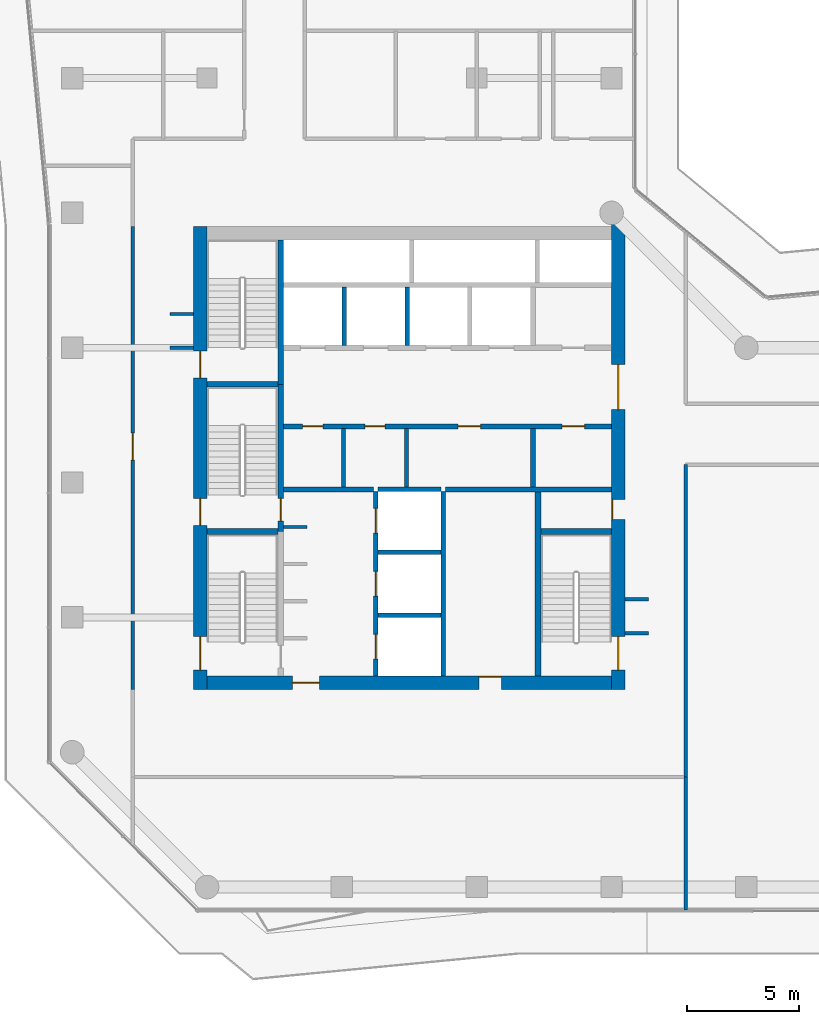
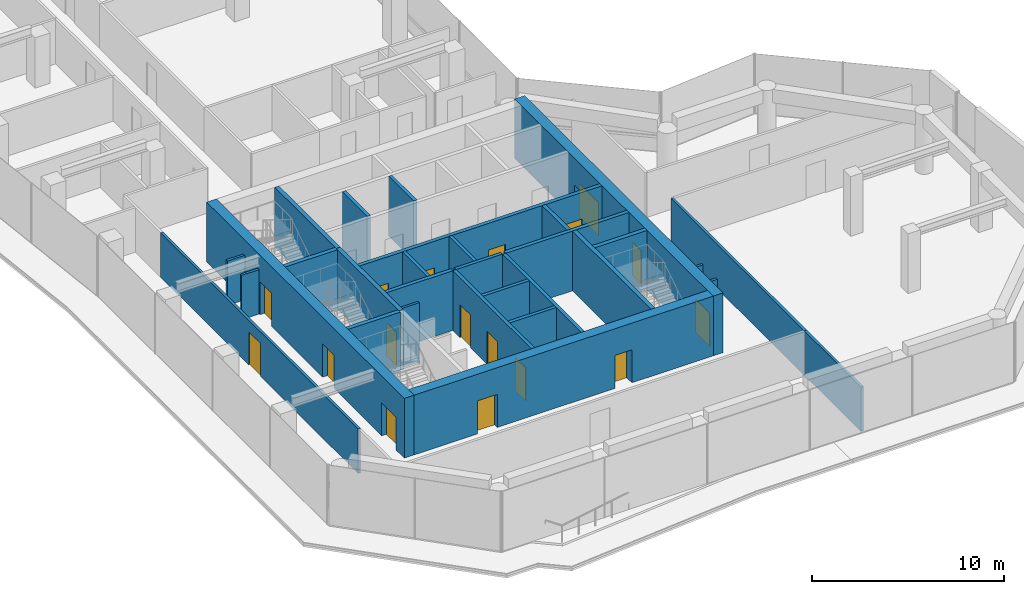
# One storey, part 18 of 22: 30 walls, 17 doors, 17 openings.
"""IFC4 building model written with IfcOpenShell, lengths in metres."""

from ifc_helpers import new_model, si_unit, direction, frame, frame_2d, origin, place, context, subcontext, project, spatial, rectangle, extrude, material, layer, layer_set, type_object, element, fill, save


model = new_model("IFC4")

# Units and contexts
model_context = context("Model", 3, precision=1e-05, world=origin(), true_north=direction((0.0, 1.0)))
body_context = subcontext(model_context, "Body", "Model", "MODEL_VIEW")
ifc_project = project(units=[si_unit("LENGTHUNIT", "METRE"), si_unit("AREAUNIT", "SQUARE_METRE"), si_unit("VOLUMEUNIT", "CUBIC_METRE"), si_unit("PLANEANGLEUNIT", "RADIAN"), si_unit("MASSUNIT", "GRAM", prefix="KILO")], contexts=[model_context])

# Site, building, storey
site_placement = place(None, origin())
site = spatial("IfcSite", under=ifc_project, at=site_placement, CompositionType="ELEMENT")
building_placement = place(site_placement, origin())
building = spatial("IfcBuilding", under=site, at=building_placement, Name="Welwitschia Terrace Campus", CompositionType="ELEMENT")
storey_placement = place(building_placement, frame((0.0, 0.0, 192.800048828125)))
storey = spatial("IfcBuildingStorey", under=building, at=storey_placement, Name="L43", CompositionType="ELEMENT", Elevation=192.800048828125)

# Walls
ifc_material_1 = material(Name="Concrete C32/40", Category="concrete")
ifc_layer_1 = layer(ifc_material_1, 0.175048828125)
ifc_layer_set_1 = layer_set([ifc_layer_1], Name="Concrete C32/40")
wall_type_1 = type_object("IfcWallType", Name="Core partition 175 Concrete C32/40", PredefinedType="PARTITIONING", material=ifc_layer_set_1)
for number, where, z_axis, x_axis, name in (
    (1, (12.074951171875, 13.800048828125, 0.0), (0.0, 0.0, 1.0), (0.0, 1.0, 0.0), "Core partition"),
    (2, (14.875, 13.800048828125, 0.0), (0.0, 0.0, 1.0), (0.0, 1.0, 0.0), "Core partition"),
):
    element("IfcWall", number, at=place(storey_placement, frame(where, z_axis=z_axis, x_axis=x_axis)), inside=storey, type_object=wall_type_1, Name=name, PredefinedType="PARTITIONING", context=body_context, shape_type="SweptSolid", body=[
        extrude(rectangle(XDim=2.599853515625, YDim=0.175048828125, at=frame_2d((1.2998046875, 0.0))), origin(), (0.0, 0.0, 1.0), 3.800048828125),
    ])
ifc_material_2 = material(Name="Concrete C32/40", Category="concrete")
ifc_layer_2 = layer(ifc_material_2, 0.22509765625)
ifc_layer_set_2 = layer_set([ifc_layer_2], Name="Concrete C32/40")
wall_type_2 = type_object("IfcWallType", Name="Core partition 225 Concrete C32/40", PredefinedType="PARTITIONING", material=ifc_layer_set_2)
wall_1_placement = place(storey_placement, frame((9.39990234375, 13.699951171875, 0.0), z_axis=(0.0, 0.0, 1.0), x_axis=(1.0, 0.0, 0.0)))
element("IfcWall", 3, at=wall_1_placement, inside=storey, type_object=wall_type_2, Name="Core partition", PredefinedType="PARTITIONING", context=body_context, shape_type="SweptSolid", body=[
    extrude(rectangle(XDim=4.0, YDim=0.22509765625, at=frame_2d((2.0, 0.0))), origin(), (0.0, 0.0, 1.0), 3.800048828125),
])
wall_2_placement = place(storey_placement, frame((16.60009765625, 13.699951171875, 0.0), z_axis=(0.0, 0.0, 1.0), x_axis=(1.0, 0.0, 0.0)))
element("IfcWall", 4, at=wall_2_placement, inside=storey, type_object=wall_type_2, Name="Core partition", PredefinedType="PARTITIONING", context=body_context, shape_type="SweptSolid", body=[
    extrude(rectangle(XDim=7.39990234375, YDim=0.22509765625, at=frame_2d((3.699951171875, 0.0))), origin(), (0.0, 0.0, 1.0), 3.800048828125),
])

# Wall, openings, doors
wall_3_placement = place(storey_placement, frame((9.39990234375, 16.5, 0.0), z_axis=(0.0, 0.0, 1.0), x_axis=(1.0, 0.0, 0.0)))
wall_3 = element("IfcWall", 5, at=wall_3_placement, inside=storey, type_object=wall_type_2, Name="Core partition", PredefinedType="PARTITIONING", context=body_context, shape_type="SweptSolid", body=[
    extrude(rectangle(XDim=14.60009765625, YDim=0.22509765625, at=frame_2d((7.300048828125, 0.0))), origin(), (0.0, 0.0, 1.0), 3.800048828125),
])
opening_1_placement = place(wall_3_placement, frame((0.85009765625, 0.0, 0.0)))
opening_1 = element("IfcOpeningElement", 6, at=opening_1_placement, cuts=wall_3, Name="Opening DR09", PredefinedType="OPENING", context=body_context, shape_type="SweptSolid", body=[
    extrude(rectangle(XDim=0.89990234375, YDim=2.10009765625, at=frame_2d((0.449951171875, 1.050048828125))), frame((0.0, 0.12255859375, 0.0), z_axis=(0.0, -1.0, 0.0), x_axis=(1.0, 0.0, 0.0)), (0.0, 0.0, 1.0), 0.2451171875),
])
opening_2_placement = place(wall_3_placement, frame((3.625, 0.0, 0.0)))
opening_2 = element("IfcOpeningElement", 7, at=opening_2_placement, cuts=wall_3, Name="Opening DR09", PredefinedType="OPENING", context=body_context, shape_type="SweptSolid", body=[
    extrude(rectangle(XDim=0.89990234375, YDim=2.10009765625, at=frame_2d((0.449951171875, 1.050048828125))), frame((0.0, 0.12255859375, 0.0), z_axis=(0.0, -1.0, 0.0), x_axis=(1.0, 0.0, 0.0)), (0.0, 0.0, 1.0), 0.2451171875),
])
opening_3_placement = place(wall_3_placement, frame((7.77490234375, 0.0, 0.0)))
opening_3 = element("IfcOpeningElement", 8, at=opening_3_placement, cuts=wall_3, Name="Opening DR10", PredefinedType="OPENING", context=body_context, shape_type="SweptSolid", body=[
    extrude(rectangle(XDim=1.0, YDim=2.10009765625, at=frame_2d((0.5, 1.050048828125))), frame((0.0, 0.12255859375, 0.0), z_axis=(0.0, -1.0, 0.0), x_axis=(1.0, 0.0, 0.0)), (0.0, 0.0, 1.0), 0.2451171875),
])
opening_4_placement = place(wall_3_placement, frame((12.39990234375, 0.0, 0.0)))
opening_4 = element("IfcOpeningElement", 9, at=opening_4_placement, cuts=wall_3, Name="Opening DR10", PredefinedType="OPENING", context=body_context, shape_type="SweptSolid", body=[
    extrude(rectangle(XDim=1.0, YDim=2.10009765625, at=frame_2d((0.5, 1.050048828125))), frame((0.0, 0.12255859375, 0.0), z_axis=(0.0, -1.0, 0.0), x_axis=(1.0, 0.0, 0.0)), (0.0, 0.0, 1.0), 0.2451171875),
])
ifc_material_3 = material(Name="Steel S275", Category="steel")
door_type_1 = type_object("IfcDoorType", Name="Core door DR09", OperationType="SINGLE_SWING_LEFT", PredefinedType="DOOR", material=ifc_material_3)
door_1_placement = place(opening_1_placement, origin())
door_1 = element("IfcDoor", 10, at=door_1_placement, inside=storey, type_object=door_type_1, Name="Door BAYL1-D", OperationType="SINGLE_SWING_LEFT", OverallHeight=2.10009765625, OverallWidth=0.89990234375, PredefinedType="DOOR", context=body_context, shape_type="SweptSolid", body=[
    extrude(rectangle(XDim=0.89990234375, YDim=2.10009765625, at=frame_2d((0.449951171875, 1.050048828125))), frame((0.0, 0.02490234375, 0.0), z_axis=(0.0, -1.0, 0.0), x_axis=(1.0, 0.0, 0.0)), (0.0, 0.0, 1.0), 0.050048828125),
])
fill(opening_1, door_1)
door_2_placement = place(opening_2_placement, origin())
door_2 = element("IfcDoor", 11, at=door_2_placement, inside=storey, type_object=door_type_1, Name="Door BAYL2-D", OperationType="SINGLE_SWING_LEFT", OverallHeight=2.10009765625, OverallWidth=0.89990234375, PredefinedType="DOOR", context=body_context, shape_type="SweptSolid", body=[
    extrude(rectangle(XDim=0.89990234375, YDim=2.10009765625, at=frame_2d((0.449951171875, 1.050048828125))), frame((0.0, 0.02490234375, 0.0), z_axis=(0.0, -1.0, 0.0), x_axis=(1.0, 0.0, 0.0)), (0.0, 0.0, 1.0), 0.050048828125),
])
fill(opening_2, door_2)
ifc_material_4 = material(Name="Steel S275", Category="steel")
door_type_2 = type_object("IfcDoorType", Name="Core door DR10", OperationType="SINGLE_SWING_LEFT", PredefinedType="DOOR", material=ifc_material_4)
door_3_placement = place(opening_3_placement, origin())
door_3 = element("IfcDoor", 12, at=door_3_placement, inside=storey, type_object=door_type_2, Name="Door BAYL3-D", OperationType="SINGLE_SWING_RIGHT", OverallHeight=2.10009765625, OverallWidth=1.0, PredefinedType="DOOR", context=body_context, shape_type="SweptSolid", body=[
    extrude(rectangle(XDim=1.0, YDim=2.10009765625, at=frame_2d((0.5, 1.050048828125))), frame((0.0, 0.02490234375, 0.0), z_axis=(0.0, -1.0, 0.0), x_axis=(1.0, 0.0, 0.0)), (0.0, 0.0, 1.0), 0.050048828125),
])
fill(opening_3, door_3)
door_4_placement = place(opening_4_placement, origin())
door_4 = element("IfcDoor", 13, at=door_4_placement, inside=storey, type_object=door_type_2, Name="Door EL-D", OperationType="SINGLE_SWING_RIGHT", OverallHeight=2.10009765625, OverallWidth=1.0, PredefinedType="DOOR", context=body_context, shape_type="SweptSolid", body=[
    extrude(rectangle(XDim=1.0, YDim=2.10009765625, at=frame_2d((0.5, 1.050048828125))), frame((0.0, 0.02490234375, 0.0), z_axis=(0.0, -1.0, 0.0), x_axis=(1.0, 0.0, 0.0)), (0.0, 0.0, 1.0), 0.050048828125),
])
fill(opening_4, door_4)

# Walls
wall_4_placement = place(storey_placement, frame((20.5, 13.800048828125, 0.0), z_axis=(0.0, 0.0, 1.0), x_axis=(0.0, 1.0, 0.0)))
element("IfcWall", 14, at=wall_4_placement, inside=storey, type_object=wall_type_2, Name="Core partition", PredefinedType="PARTITIONING", context=body_context, shape_type="SweptSolid", body=[
    extrude(rectangle(XDim=2.599853515625, YDim=0.22509765625, at=frame_2d((1.2998046875, 0.0))), origin(), (0.0, 0.0, 1.0), 3.800048828125),
])
ifc_material_5 = material(Name="Concrete C50/60", Category="concrete")
ifc_layer_3 = layer(ifc_material_5, 0.14990234375)
ifc_layer_set_3 = layer_set([ifc_layer_3], Name="Concrete C50/60")
wall_type_3 = type_object("IfcWallType", Name="Core wall 150 Concrete C50/60", PredefinedType="SHEAR", material=ifc_layer_set_3)
wall_5_placement = place(storey_placement, frame((9.39990234375, 12.02490234375, 0.0), z_axis=(0.0, 0.0, 1.0), x_axis=(1.0, 0.0, 0.0)))
element("IfcWall", 15, at=wall_5_placement, inside=storey, type_object=wall_type_3, Name="Core wall", PredefinedType="SHEAR", context=body_context, shape_type="SweptSolid", body=[
    extrude(rectangle(XDim=1.050048828125, YDim=0.14990234375, at=frame_2d((0.52490234375, 0.0))), origin(), (0.0, 0.0, 1.0), 3.800048828125),
])
ifc_material_6 = material(Name="Concrete C50/60", Category="concrete")
ifc_layer_4 = layer(ifc_material_6, 0.199951171875)
ifc_layer_set_4 = layer_set([ifc_layer_4], Name="Concrete C50/60")
wall_type_4 = type_object("IfcWallType", Name="Core wall 200 Concrete C50/60", PredefinedType="SHEAR", material=ifc_layer_set_4)
for number, where, z_axis, x_axis, name in (
    (16, (13.60009765625, 8.10009765625, 0.0), (0.0, 0.0, 1.0), (1.0, 0.0, 0.0), "Core wall"),
    (17, (13.60009765625, 10.89990234375, 0.0), (0.0, 0.0, 1.0), (1.0, 0.0, 0.0), "Core wall"),
    (18, (13.60009765625, 13.699951171875, 0.0), (0.0, 0.0, 1.0), (1.0, 0.0, 0.0), "Core wall"),
):
    element("IfcWall", number, at=place(storey_placement, frame(where, z_axis=z_axis, x_axis=x_axis)), inside=storey, type_object=wall_type_4, Name=name, PredefinedType="SHEAR", context=body_context, shape_type="SweptSolid", body=[
        extrude(rectangle(XDim=2.7998046875, YDim=0.199951171875, at=frame_2d((1.39990234375, 0.0))), origin(), (0.0, 0.0, 1.0), 3.800048828125),
    ])

# Wall, openings, doors
wall_6_placement = place(storey_placement, frame((13.5, 5.39990234375, 0.0), z_axis=(0.0, 0.0, 1.0), x_axis=(0.0, 1.0, 0.0)))
wall_6 = element("IfcWall", 19, at=wall_6_placement, inside=storey, type_object=wall_type_4, Name="Core wall", PredefinedType="SHEAR", context=body_context, shape_type="SweptSolid", body=[
    extrude(rectangle(XDim=8.2001953125, YDim=0.199951171875, at=frame_2d((4.10009765625, 0.0))), origin(), (0.0, 0.0, 1.0), 3.800048828125),
])
opening_5_placement = place(wall_6_placement, frame((0.75, 0.0, 0.0)))
opening_5 = element("IfcOpeningElement", 20, at=opening_5_placement, cuts=wall_6, Name="Opening LD", PredefinedType="OPENING", context=body_context, shape_type="SweptSolid", body=[
    extrude(rectangle(XDim=1.10009765625, YDim=2.10009765625, at=frame_2d((0.550048828125, 1.050048828125))), frame((0.0, 0.10986328125, 0.0), z_axis=(0.0, -1.0, 0.0), x_axis=(1.0, 0.0, 0.0)), (0.0, 0.0, 1.0), 0.219970703125),
])
opening_6_placement = place(wall_6_placement, frame((3.550048828125, 0.0, 0.0)))
opening_6 = element("IfcOpeningElement", 21, at=opening_6_placement, cuts=wall_6, Name="Opening LD", PredefinedType="OPENING", context=body_context, shape_type="SweptSolid", body=[
    extrude(rectangle(XDim=1.10009765625, YDim=2.10009765625, at=frame_2d((0.550048828125, 1.050048828125))), frame((0.0, 0.10986328125, 0.0), z_axis=(0.0, -1.0, 0.0), x_axis=(1.0, 0.0, 0.0)), (0.0, 0.0, 1.0), 0.219970703125),
])
opening_7_placement = place(wall_6_placement, frame((6.35009765625, 0.0, 0.0)))
opening_7 = element("IfcOpeningElement", 22, at=opening_7_placement, cuts=wall_6, Name="Opening LD", PredefinedType="OPENING", context=body_context, shape_type="SweptSolid", body=[
    extrude(rectangle(XDim=1.10009765625, YDim=2.10009765625, at=frame_2d((0.550048828125, 1.050048828125))), frame((0.0, 0.10986328125, 0.0), z_axis=(0.0, -1.0, 0.0), x_axis=(1.0, 0.0, 0.0)), (0.0, 0.0, 1.0), 0.219970703125),
])
ifc_material_7 = material(Name="Stainless steel 304", Category="steel")
door_type_3 = type_object("IfcDoorType", Name="Lift landing door", OperationType="DOUBLE_DOOR_SLIDING", PredefinedType="DOOR", material=ifc_material_7)
door_5_placement = place(opening_5_placement, origin())
door_5 = element("IfcDoor", 23, at=door_5_placement, inside=storey, type_object=door_type_3, Name="Landing door FF1", OperationType="DOUBLE_DOOR_SLIDING", OverallHeight=2.10009765625, OverallWidth=1.10009765625, PredefinedType="DOOR", context=body_context, shape_type="SweptSolid", body=[
    extrude(rectangle(XDim=1.10009765625, YDim=2.10009765625, at=frame_2d((0.550048828125, 1.050048828125))), frame((0.0, 0.02490234375, 0.0), z_axis=(0.0, -1.0, 0.0), x_axis=(1.0, 0.0, 0.0)), (0.0, 0.0, 1.0), 0.050048828125),
])
fill(opening_5, door_5)
door_6_placement = place(opening_6_placement, origin())
door_6 = element("IfcDoor", 24, at=door_6_placement, inside=storey, type_object=door_type_3, Name="Landing door FF2", OperationType="DOUBLE_DOOR_SLIDING", OverallHeight=2.10009765625, OverallWidth=1.10009765625, PredefinedType="DOOR", context=body_context, shape_type="SweptSolid", body=[
    extrude(rectangle(XDim=1.10009765625, YDim=2.10009765625, at=frame_2d((0.550048828125, 1.050048828125))), frame((0.0, 0.02490234375, 0.0), z_axis=(0.0, -1.0, 0.0), x_axis=(1.0, 0.0, 0.0)), (0.0, 0.0, 1.0), 0.050048828125),
])
fill(opening_6, door_6)
door_7_placement = place(opening_7_placement, origin())
door_7 = element("IfcDoor", 25, at=door_7_placement, inside=storey, type_object=door_type_3, Name="Landing door SV1", OperationType="DOUBLE_DOOR_SLIDING", OverallHeight=2.10009765625, OverallWidth=1.10009765625, PredefinedType="DOOR", context=body_context, shape_type="SweptSolid", body=[
    extrude(rectangle(XDim=1.10009765625, YDim=2.10009765625, at=frame_2d((0.550048828125, 1.050048828125))), frame((0.0, 0.02490234375, 0.0), z_axis=(0.0, -1.0, 0.0), x_axis=(1.0, 0.0, 0.0)), (0.0, 0.0, 1.0), 0.050048828125),
])
fill(opening_7, door_7)

# Walls
wall_7_placement = place(storey_placement, frame((16.5, 5.39990234375, 0.0), z_axis=(0.0, 0.0, 1.0), x_axis=(0.0, 1.0, 0.0)))
element("IfcWall", 26, at=wall_7_placement, inside=storey, type_object=wall_type_4, Name="Core wall", PredefinedType="SHEAR", context=body_context, shape_type="SweptSolid", body=[
    extrude(rectangle(XDim=8.2001953125, YDim=0.199951171875, at=frame_2d((4.10009765625, 0.0))), origin(), (0.0, 0.0, 1.0), 3.800048828125),
])
ifc_material_8 = material(Name="Concrete C50/60", Category="concrete")
ifc_layer_5 = layer(ifc_material_8, 0.25)
ifc_layer_set_5 = layer_set([ifc_layer_5], Name="Concrete C50/60")
wall_type_5 = type_object("IfcWallType", Name="Core wall 250 Concrete C50/60", PredefinedType="SHEAR", material=ifc_layer_set_5)
for number, where, z_axis, x_axis, name in (
    (27, (6.0, 11.824951171875, 0.0), (0.0, 0.0, 1.0), (1.0, 0.0, 0.0), "Core wall"),
    (28, (20.85009765625, 11.824951171875, 0.0), (0.0, 0.0, 1.0), (1.0, 0.0, 0.0), "Core wall"),
    (29, (6.0, 18.375, 0.0), (0.0, 0.0, 1.0), (1.0, 0.0, 0.0), "Core wall"),
):
    element("IfcWall", number, at=place(storey_placement, frame(where, z_axis=z_axis, x_axis=x_axis)), inside=storey, type_object=wall_type_5, Name=name, PredefinedType="SHEAR", context=body_context, shape_type="SweptSolid", body=[
        extrude(rectangle(XDim=3.14990234375, YDim=0.25, at=frame_2d((1.574951171875, 0.0))), origin(), (0.0, 0.0, 1.0), 3.800048828125),
    ])

# Wall, opening, door
wall_8_placement = place(storey_placement, frame((9.27490234375, 18.375, 0.0), z_axis=(0.0, 0.0, 1.0), x_axis=(0.0, -1.0, 0.0)))
wall_8 = element("IfcWall", 30, at=wall_8_placement, inside=storey, type_object=wall_type_5, Name="Core wall", PredefinedType="SHEAR", context=body_context, shape_type="SweptSolid", body=[
    extrude(rectangle(XDim=6.550048828125, YDim=0.25, at=frame_2d((3.27490234375, 0.0))), origin(), (0.0, 0.0, 1.0), 3.800048828125),
])
opening_8_placement = place(wall_8_placement, frame((5.074951171875, 0.0, 0.0)))
opening_8 = element("IfcOpeningElement", 31, at=opening_8_placement, cuts=wall_8, Name="Opening DS10", PredefinedType="OPENING", context=body_context, shape_type="SweptSolid", body=[
    extrude(rectangle(XDim=1.0, YDim=2.10009765625, at=frame_2d((0.5, 1.050048828125))), frame((0.0, 0.135009765625, 0.0), z_axis=(0.0, -1.0, 0.0), x_axis=(1.0, 0.0, 0.0)), (0.0, 0.0, 1.0), 0.27001953125),
])
ifc_material_9 = material(Name="Steel S275", Category="steel")
door_type_4 = type_object("IfcDoorType", Name="Core door DS10", OperationType="SINGLE_SWING_LEFT", PredefinedType="DOOR", material=ifc_material_9)
door_8_placement = place(opening_8_placement, origin())
door_8 = element("IfcDoor", 32, at=door_8_placement, inside=storey, type_object=door_type_4, Name="Door S3-FL", OperationType="SINGLE_SWING_RIGHT", OverallHeight=2.10009765625, OverallWidth=1.0, PredefinedType="DOOR", context=body_context, shape_type="SweptSolid", body=[
    extrude(rectangle(XDim=1.0, YDim=2.10009765625, at=frame_2d((0.5, 1.050048828125))), frame((0.0, 0.02490234375, 0.0), z_axis=(0.0, -1.0, 0.0), x_axis=(1.0, 0.0, 0.0)), (0.0, 0.0, 1.0), 0.050048828125),
])
fill(opening_8, door_8)

# Walls
wall_9_placement = place(storey_placement, frame((9.27490234375, 18.375, 0.0), z_axis=(0.0, 0.0, 1.0), x_axis=(0.0, 1.0, 0.0)))
element("IfcWall", 33, at=wall_9_placement, inside=storey, type_object=wall_type_5, Name="Core wall", PredefinedType="SHEAR", context=body_context, shape_type="SweptSolid", body=[
    extrude(rectangle(XDim=6.425048828125, YDim=0.25, at=frame_2d((3.21240234375, 0.0))), origin(), (0.0, 0.0, 1.0), 3.800048828125),
])
wall_10_placement = place(storey_placement, frame((20.72509765625, 5.39990234375, 0.0), z_axis=(0.0, 0.0, 1.0), x_axis=(0.0, 1.0, 0.0)))
element("IfcWall", 34, at=wall_10_placement, inside=storey, type_object=wall_type_5, Name="Core wall", PredefinedType="SHEAR", context=body_context, shape_type="SweptSolid", body=[
    extrude(rectangle(XDim=8.2001953125, YDim=0.25, at=frame_2d((4.10009765625, 0.0))), origin(), (0.0, 0.0, 1.0), 3.800048828125),
])

# Wall, openings, doors
ifc_material_10 = material(Name="Concrete C60/75", Category="concrete")
ifc_layer_6 = layer(ifc_material_10, 0.60009765625)
ifc_layer_set_6 = layer_set([ifc_layer_6], Name="Concrete C60/75")
wall_type_6 = type_object("IfcWallType", Name="Core wall 600 Concrete C60/75", PredefinedType="SHEAR", material=ifc_layer_set_6)
wall_11_placement = place(storey_placement, frame((5.699951171875, 4.800048828125, 0.0), z_axis=(0.0, 0.0, 1.0), x_axis=(0.0, 1.0, 0.0)))
wall_11 = element("IfcWall", 35, at=wall_11_placement, inside=storey, type_object=wall_type_6, Name="Core outer wall", PredefinedType="SHEAR", context=body_context, shape_type="SweptSolid", body=[
    extrude(rectangle(XDim=20.599853515625, YDim=0.60009765625, at=frame_2d((10.2998046875, 0.0))), origin(), (0.0, 0.0, 1.0), 3.800048828125),
])
opening_9_placement = place(wall_11_placement, frame((0.85009765625, 0.0, 0.0)))
opening_9 = element("IfcOpeningElement", 36, at=opening_9_placement, cuts=wall_11, Name="Opening DS15", PredefinedType="OPENING", context=body_context, shape_type="SweptSolid", body=[
    extrude(rectangle(XDim=1.5, YDim=2.10009765625, at=frame_2d((0.75, 1.050048828125))), frame((0.0, 0.31005859375, 0.0), z_axis=(0.0, -1.0, 0.0), x_axis=(1.0, 0.0, 0.0)), (0.0, 0.0, 1.0), 0.6201171875),
])
opening_10_placement = place(wall_11_placement, frame((7.300048828125, 0.0, 0.0)))
opening_10 = element("IfcOpeningElement", 37, at=opening_10_placement, cuts=wall_11, Name="Opening DS12", PredefinedType="OPENING", context=body_context, shape_type="SweptSolid", body=[
    extrude(rectangle(XDim=1.199951171875, YDim=2.10009765625, at=frame_2d((0.60009765625, 1.050048828125))), frame((0.0, 0.31005859375, 0.0), z_axis=(0.0, -1.0, 0.0), x_axis=(1.0, 0.0, 0.0)), (0.0, 0.0, 1.0), 0.6201171875),
])
opening_11_placement = place(wall_11_placement, frame((13.85009765625, 0.0, 0.0)))
opening_11 = element("IfcOpeningElement", 38, at=opening_11_placement, cuts=wall_11, Name="Opening DS12", PredefinedType="OPENING", context=body_context, shape_type="SweptSolid", body=[
    extrude(rectangle(XDim=1.199951171875, YDim=2.10009765625, at=frame_2d((0.60009765625, 1.050048828125))), frame((0.0, 0.31005859375, 0.0), z_axis=(0.0, -1.0, 0.0), x_axis=(1.0, 0.0, 0.0)), (0.0, 0.0, 1.0), 0.6201171875),
])
ifc_material_11 = material(Name="Steel S275", Category="steel")
door_type_5 = type_object("IfcDoorType", Name="Core door DS12", OperationType="SINGLE_SWING_LEFT", PredefinedType="DOOR", material=ifc_material_11)
door_9_placement = place(opening_10_placement, origin())
door_9 = element("IfcDoor", 39, at=door_9_placement, inside=storey, type_object=door_type_5, Name="Door S3-out", OperationType="SINGLE_SWING_LEFT", OverallHeight=2.10009765625, OverallWidth=1.199951171875, PredefinedType="DOOR", context=body_context, shape_type="SweptSolid", body=[
    extrude(rectangle(XDim=1.199951171875, YDim=2.10009765625, at=frame_2d((0.60009765625, 1.050048828125))), frame((0.0, 0.02490234375, 0.0), z_axis=(0.0, -1.0, 0.0), x_axis=(1.0, 0.0, 0.0)), (0.0, 0.0, 1.0), 0.050048828125),
])
fill(opening_10, door_9)
door_10_placement = place(opening_11_placement, origin())
door_10 = element("IfcDoor", 40, at=door_10_placement, inside=storey, type_object=door_type_5, Name="Door S4-out", OperationType="SINGLE_SWING_RIGHT", OverallHeight=2.10009765625, OverallWidth=1.199951171875, PredefinedType="DOOR", context=body_context, shape_type="SweptSolid", body=[
    extrude(rectangle(XDim=1.199951171875, YDim=2.10009765625, at=frame_2d((0.60009765625, 1.050048828125))), frame((0.0, 0.02490234375, 0.0), z_axis=(0.0, -1.0, 0.0), x_axis=(1.0, 0.0, 0.0)), (0.0, 0.0, 1.0), 0.050048828125),
])
fill(opening_11, door_10)
ifc_material_12 = material(Name="Steel S275", Category="steel")
door_type_6 = type_object("IfcDoorType", Name="Core door DS15", OperationType="DOUBLE_DOOR_SINGLE_SWING", PredefinedType="DOOR", material=ifc_material_12)
door_11_placement = place(opening_9_placement, origin())
door_11 = element("IfcDoor", 41, at=door_11_placement, inside=storey, type_object=door_type_6, Name="Door S1-out", OperationType="DOUBLE_DOOR_SINGLE_SWING", OverallHeight=2.10009765625, OverallWidth=1.5, PredefinedType="DOOR", context=body_context, shape_type="SweptSolid", body=[
    extrude(rectangle(XDim=1.5, YDim=2.10009765625, at=frame_2d((0.75, 1.050048828125))), frame((0.0, 0.02490234375, 0.0), z_axis=(0.0, -1.0, 0.0), x_axis=(1.0, 0.0, 0.0)), (0.0, 0.0, 1.0), 0.050048828125),
])
fill(opening_9, door_11)

wall_12_placement = place(storey_placement, frame((24.300048828125, 25.5048828125, 0.0), z_axis=(0.0, 0.0, 1.0), x_axis=(0.0, -1.0, 0.0)))
wall_12 = element("IfcWall", 42, at=wall_12_placement, inside=storey, type_object=wall_type_6, Name="Core outer wall", PredefinedType="SHEAR", context=body_context, shape_type="SweptSolid", body=[
    extrude(rectangle(XDim=20.704833984375, YDim=0.60009765625, at=frame_2d((10.3525390625, 0.0))), origin(), (0.0, 0.0, 1.0), 3.800048828125),
])
opening_12_placement = place(wall_12_placement, frame((18.35498046875, 0.0, 0.0)))
opening_12 = element("IfcOpeningElement", 43, at=opening_12_placement, cuts=wall_12, Name="Opening DS15", PredefinedType="OPENING", context=body_context, shape_type="SweptSolid", body=[
    extrude(rectangle(XDim=1.5, YDim=2.10009765625, at=frame_2d((0.75, 1.050048828125))), frame((0.0, 0.31005859375, 0.0), z_axis=(0.0, -1.0, 0.0), x_axis=(1.0, 0.0, 0.0)), (0.0, 0.0, 1.0), 0.6201171875),
])
opening_13_placement = place(wall_12_placement, frame((12.2548828125, 0.0, 0.0)))
opening_13 = element("IfcOpeningElement", 44, at=opening_13_placement, cuts=wall_12, Name="Opening DR09", PredefinedType="OPENING", context=body_context, shape_type="SweptSolid", body=[
    extrude(rectangle(XDim=0.89990234375, YDim=2.10009765625, at=frame_2d((0.449951171875, 1.050048828125))), frame((0.0, 0.31005859375, 0.0), z_axis=(0.0, -1.0, 0.0), x_axis=(1.0, 0.0, 0.0)), (0.0, 0.0, 1.0), 0.6201171875),
])
opening_14_placement = place(wall_12_placement, frame((6.2548828125, 0.0, 0.0)))
opening_14 = element("IfcOpeningElement", 45, at=opening_14_placement, cuts=wall_12, Name="Opening DL20", PredefinedType="OPENING", context=body_context, shape_type="SweptSolid", body=[
    extrude(rectangle(XDim=2.0, YDim=2.10009765625, at=frame_2d((1.0, 1.050048828125))), frame((0.0, 0.31005859375, 0.0), z_axis=(0.0, -1.0, 0.0), x_axis=(1.0, 0.0, 0.0)), (0.0, 0.0, 1.0), 0.6201171875),
])
ifc_material_13 = material(Name="Steel S275", Category="steel")
door_type_7 = type_object("IfcDoorType", Name="Core door DL20", OperationType="DOUBLE_DOOR_SINGLE_SWING", PredefinedType="DOOR", material=ifc_material_13)
door_12_placement = place(opening_14_placement, origin())
door_12 = element("IfcDoor", 46, at=door_12_placement, inside=storey, type_object=door_type_7, Name="Door LOBBY-out", OperationType="DOUBLE_DOOR_SINGLE_SWING", OverallHeight=2.10009765625, OverallWidth=2.0, PredefinedType="DOOR", context=body_context, shape_type="SweptSolid", body=[
    extrude(rectangle(XDim=2.0, YDim=2.10009765625, at=frame_2d((1.0, 1.050048828125))), frame((0.0, 0.02490234375, 0.0), z_axis=(0.0, -1.0, 0.0), x_axis=(1.0, 0.0, 0.0)), (0.0, 0.0, 1.0), 0.050048828125),
])
fill(opening_14, door_12)
door_13_placement = place(opening_13_placement, origin())
door_13 = element("IfcDoor", 47, at=door_13_placement, inside=storey, type_object=door_type_1, Name="Door F1B-out", OperationType="SINGLE_SWING_RIGHT", OverallHeight=2.10009765625, OverallWidth=0.89990234375, PredefinedType="DOOR", context=body_context, shape_type="SweptSolid", body=[
    extrude(rectangle(XDim=0.89990234375, YDim=2.10009765625, at=frame_2d((0.449951171875, 1.050048828125))), frame((0.0, -0.23974609375, 0.0), z_axis=(0.0, -1.0, 0.0), x_axis=(1.0, 0.0, 0.0)), (0.0, 0.0, 1.0), 0.050048828125),
])
fill(opening_13, door_13)
door_14_placement = place(opening_12_placement, origin())
door_14 = element("IfcDoor", 48, at=door_14_placement, inside=storey, type_object=door_type_6, Name="Door S2-out", OperationType="DOUBLE_DOOR_SINGLE_SWING", OverallHeight=2.10009765625, OverallWidth=1.5, PredefinedType="DOOR", context=body_context, shape_type="SweptSolid", body=[
    extrude(rectangle(XDim=1.5, YDim=2.10009765625, at=frame_2d((0.75, 1.050048828125))), frame((0.0, 0.02490234375, 0.0), z_axis=(0.0, -1.0, 0.0), x_axis=(1.0, 0.0, 0.0)), (0.0, 0.0, 1.0), 0.050048828125),
])
fill(opening_12, door_14)

wall_13_placement = place(storey_placement, frame((24.0, 5.10009765625, 0.0), z_axis=(0.0, 0.0, 1.0), x_axis=(-1.0, 0.0, 0.0)))
wall_13 = element("IfcWall", 49, at=wall_13_placement, inside=storey, type_object=wall_type_6, Name="Core outer wall", PredefinedType="SHEAR", context=body_context, shape_type="SweptSolid", body=[
    extrude(rectangle(XDim=18.0, YDim=0.60009765625, at=frame_2d((9.0, 0.0))), origin(), (0.0, 0.0, 1.0), 3.800048828125),
])
opening_15_placement = place(wall_13_placement, frame((13.0, 0.0, 0.0)))
opening_15 = element("IfcOpeningElement", 50, at=opening_15_placement, cuts=wall_13, Name="Opening DF12", PredefinedType="OPENING", context=body_context, shape_type="SweptSolid", body=[
    extrude(rectangle(XDim=1.199951171875, YDim=2.10009765625, at=frame_2d((0.60009765625, 1.050048828125))), frame((0.0, 0.31005859375, 0.0), z_axis=(0.0, -1.0, 0.0), x_axis=(1.0, 0.0, 0.0)), (0.0, 0.0, 1.0), 0.6201171875),
])
opening_16_placement = place(wall_13_placement, frame((4.89990234375, 0.0, 0.0)))
opening_16 = element("IfcOpeningElement", 51, at=opening_16_placement, cuts=wall_13, Name="Opening DR10", PredefinedType="OPENING", context=body_context, shape_type="SweptSolid", body=[
    extrude(rectangle(XDim=1.0, YDim=2.10009765625, at=frame_2d((0.5, 1.050048828125))), frame((0.0, 0.31005859375, 0.0), z_axis=(0.0, -1.0, 0.0), x_axis=(1.0, 0.0, 0.0)), (0.0, 0.0, 1.0), 0.6201171875),
])
ifc_material_14 = material(Name="Steel S275", Category="steel")
door_type_8 = type_object("IfcDoorType", Name="Core door DF12", OperationType="SINGLE_SWING_LEFT", PredefinedType="DOOR", material=ifc_material_14)
door_15_placement = place(opening_15_placement, origin())
door_15 = element("IfcDoor", 52, at=door_15_placement, inside=storey, type_object=door_type_8, Name="Door FL-out", OperationType="SINGLE_SWING_RIGHT", OverallHeight=2.10009765625, OverallWidth=1.199951171875, PredefinedType="DOOR", context=body_context, shape_type="SweptSolid", body=[
    extrude(rectangle(XDim=1.199951171875, YDim=2.10009765625, at=frame_2d((0.60009765625, 1.050048828125))), frame((0.0, 0.02490234375, 0.0), z_axis=(0.0, -1.0, 0.0), x_axis=(1.0, 0.0, 0.0)), (0.0, 0.0, 1.0), 0.050048828125),
])
fill(opening_15, door_15)
door_16_placement = place(opening_16_placement, origin())
door_16 = element("IfcDoor", 53, at=door_16_placement, inside=storey, type_object=door_type_2, Name="Door F1-out", OperationType="SINGLE_SWING_LEFT", OverallHeight=2.10009765625, OverallWidth=1.0, PredefinedType="DOOR", context=body_context, shape_type="SweptSolid", body=[
    extrude(rectangle(XDim=1.0, YDim=2.10009765625, at=frame_2d((0.5, 1.050048828125))), frame((0.0, -0.23974609375, 0.0), z_axis=(0.0, -1.0, 0.0), x_axis=(1.0, 0.0, 0.0)), (0.0, 0.0, 1.0), 0.050048828125),
])
fill(opening_16, door_16)

# Wall, opening, door
ifc_material_15 = material(Name="Gypsum board on steel studs", Category="steel")
ifc_layer_7 = layer(ifc_material_15, 0.14990234375)
ifc_layer_set_7 = layer_set([ifc_layer_7], Name="Gypsum board on steel studs")
wall_type_7 = type_object("IfcWallType", Name="Corridor partition 150 EI 30", PredefinedType="PARTITIONING", material=ifc_layer_set_7)
wall_14_placement = place(storey_placement, frame((2.699951171875, 4.800048828125, 0.0), z_axis=(0.0, 0.0, 1.0), x_axis=(0.0, 1.0, 0.0)))
wall_14 = element("IfcWall", 54, at=wall_14_placement, inside=storey, type_object=wall_type_7, Name="Partition", PredefinedType="PARTITIONING", context=body_context, shape_type="SweptSolid", body=[
    extrude(rectangle(XDim=20.599853515625, YDim=0.14990234375, at=frame_2d((10.2998046875, 0.0))), origin(), (0.0, 0.0, 1.0), 2.829833984375),
])
opening_17_placement = place(wall_14_placement, frame((10.199951171875, 0.0, 0.0)))
opening_17 = element("IfcOpeningElement", 55, at=opening_17_placement, cuts=wall_14, Name="Opening DI12", PredefinedType="OPENING", context=body_context, shape_type="SweptSolid", body=[
    extrude(rectangle(XDim=1.199951171875, YDim=2.10009765625, at=frame_2d((0.60009765625, 1.050048828125))), frame((0.0, 0.0849609375, 0.0), z_axis=(0.0, -1.0, 0.0), x_axis=(1.0, 0.0, 0.0)), (0.0, 0.0, 1.0), 0.169921875),
])
ifc_material_16 = material(Name="Timber veneered door", Category="wood")
door_type_9 = type_object("IfcDoorType", Name="Interior door DI12", OperationType="NOTDEFINED", PredefinedType="DOOR", material=ifc_material_16)
door_17_placement = place(opening_17_placement, origin())
door_17 = element("IfcDoor", 56, at=door_17_placement, inside=storey, type_object=door_type_9, Name="Door L43 837", OperationType="SINGLE_SWING_RIGHT", OverallHeight=2.10009765625, OverallWidth=1.199951171875, PredefinedType="DOOR", context=body_context, shape_type="SweptSolid", body=[
    extrude(rectangle(XDim=1.199951171875, YDim=2.10009765625, at=frame_2d((0.60009765625, 1.050048828125))), frame((0.0, 0.02490234375, 0.0), z_axis=(0.0, -1.0, 0.0), x_axis=(1.0, 0.0, 0.0)), (0.0, 0.0, 1.0), 0.050048828125),
])
fill(opening_17, door_17)

# Walls
for number, where, z_axis, x_axis, name in (
    (57, (4.35009765625, 20.0, 0.0), (0.0, 0.0, 1.0), (1.0, 0.0, 0.0), "Partition"),
    (58, (4.35009765625, 21.5, 0.0), (0.0, 0.0, 1.0), (1.0, 0.0, 0.0), "Partition"),
    (59, (24.60009765625, 7.300048828125, 0.0), (0.0, 0.0, 1.0), (1.0, 0.0, 0.0), "Partition"),
    (60, (24.60009765625, 8.800048828125, 0.0), (0.0, 0.0, 1.0), (1.0, 0.0, 0.0), "Partition"),
):
    element("IfcWall", number, at=place(storey_placement, frame(where, z_axis=z_axis, x_axis=x_axis)), inside=storey, type_object=wall_type_7, Name=name, PredefinedType="PARTITIONING", context=body_context, shape_type="SweptSolid", body=[
        extrude(rectangle(XDim=1.0498046875, YDim=0.14990234375, at=frame_2d((0.52490234375, 0.0))), origin(), (0.0, 0.0, 1.0), 2.829833984375),
    ])
wall_15_placement = place(storey_placement, frame((27.300048828125, -5.010009765625, 0.0), z_axis=(0.0, 0.0, 1.0), x_axis=(0.0, 1.0, 0.0)))
element("IfcWall", 61, at=wall_15_placement, inside=storey, type_object=wall_type_7, Name="Partition", PredefinedType="PARTITIONING", context=body_context, shape_type="SweptSolid", body=[
    extrude(rectangle(XDim=5.909912109375, YDim=0.14990234375, at=frame_2d((2.955078125, 0.0))), origin(), (0.0, 0.0, 1.0), 2.829833984375),
])
wall_16_placement = place(storey_placement, frame((27.300048828125, 0.89990234375, 0.0), z_axis=(0.0, 0.0, 1.0), x_axis=(0.0, 1.0, 0.0)))
element("IfcWall", 62, at=wall_16_placement, inside=storey, type_object=wall_type_7, Name="Partition", PredefinedType="PARTITIONING", context=body_context, shape_type="SweptSolid", body=[
    extrude(rectangle(XDim=13.900146484375, YDim=0.14990234375, at=frame_2d((6.9501953125, 0.0))), origin(), (0.0, 0.0, 1.0), 2.829833984375),
])
ifc_material_17 = material(Name="Concrete C32/40", Category="concrete")
ifc_layer_8 = layer(ifc_material_17, 0.199951171875)
ifc_layer_set_8 = layer_set([ifc_layer_8], Name="Concrete C32/40")
wall_type_8 = type_object("IfcWallType", Name="Shaft wall 200 Concrete C32/40", PredefinedType="SOLIDWALL", material=ifc_layer_set_8)
for number, where, z_axis, x_axis, name in (
    (63, (12.10009765625, 20.10009765625, 0.0), (0.0, 0.0, 1.0), (0.0, 1.0, 0.0), "Shaft wall"),
    (64, (14.89990234375, 20.10009765625, 0.0), (0.0, 0.0, 1.0), (0.0, 1.0, 0.0), "Shaft wall"),
):
    element("IfcWall", number, at=place(storey_placement, frame(where, z_axis=z_axis, x_axis=x_axis)), inside=storey, type_object=wall_type_8, Name=name, PredefinedType="SOLIDWALL", context=body_context, shape_type="SweptSolid", body=[
        extrude(rectangle(XDim=2.599853515625, YDim=0.199951171875, at=frame_2d((1.2998046875, 0.0))), origin(), (0.0, 0.0, 1.0), 3.800048828125),
    ])

save(model, "model.ifc")
